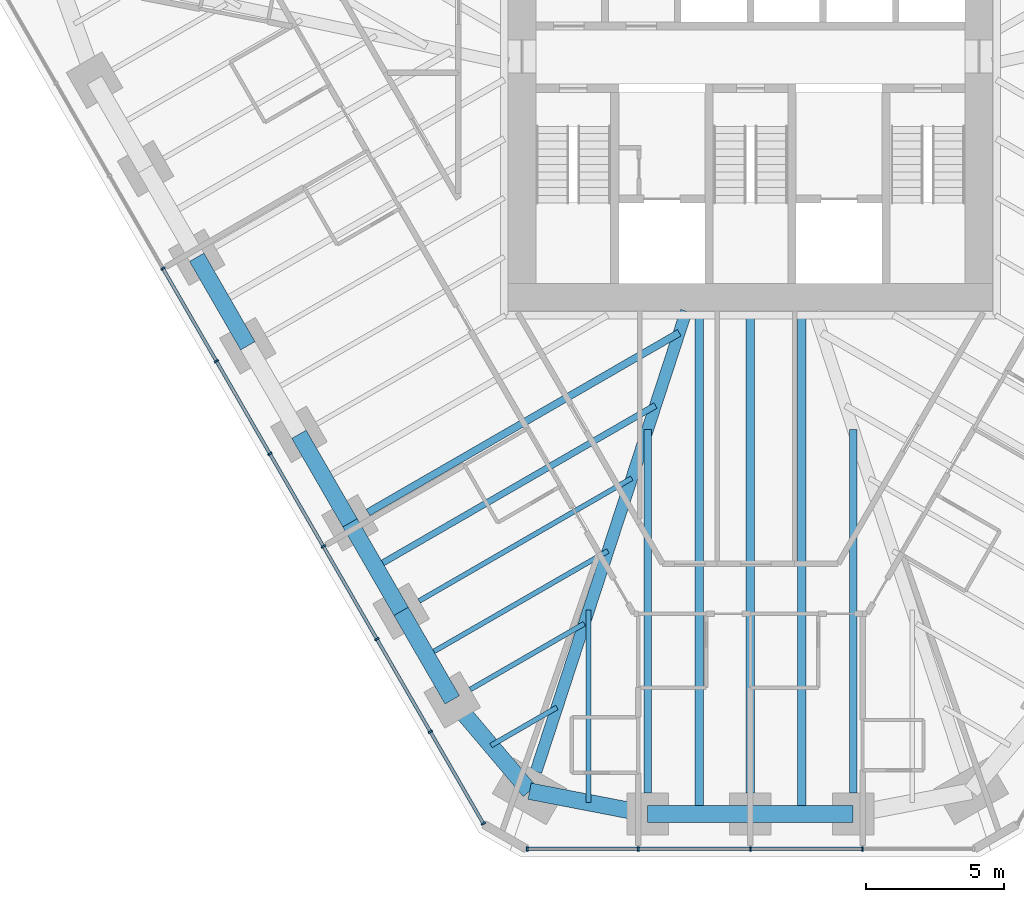
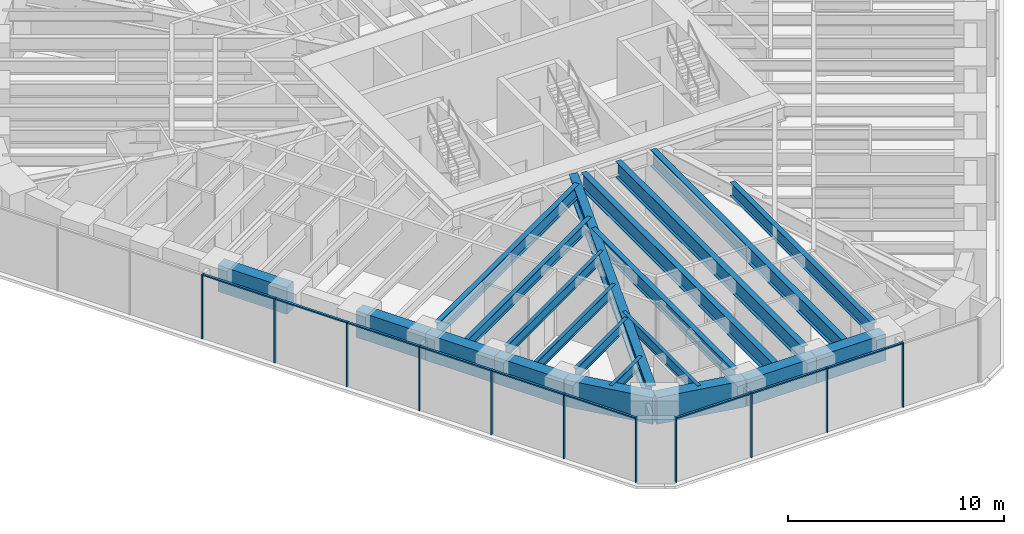
# One storey, part 2 of 17: 21 beams, 20 members, 2 elements without a shape of their own.
"""IFC4 building model written with IfcOpenShell, lengths in metres."""

from ifc_helpers import new_model, si_unit, direction, frame, origin, origin_2d, place, context, subcontext, project, spatial, rectangle, i_section, extrude, material, material_profile, profile_set, type_object, element, aggregate, save


model = new_model("IFC4")

# Units and contexts
model_context = context("Model", 3, precision=1e-05, world=origin(), true_north=direction((0.0, 1.0)))
body_context = subcontext(model_context, "Body", "Model", "MODEL_VIEW")
ifc_project = project(units=[si_unit("LENGTHUNIT", "METRE"), si_unit("AREAUNIT", "SQUARE_METRE"), si_unit("VOLUMEUNIT", "CUBIC_METRE"), si_unit("PLANEANGLEUNIT", "RADIAN"), si_unit("MASSUNIT", "GRAM", prefix="KILO")], contexts=[model_context])

# Site, building, storey
site_placement = place(None, origin())
site = spatial("IfcSite", under=ifc_project, at=site_placement, CompositionType="ELEMENT")
building_placement = place(site_placement, origin())
building = spatial("IfcBuilding", under=site, at=building_placement, Name="Sandreach Pilgrim Tower", CompositionType="ELEMENT")
storey_placement = place(building_placement, frame((0.0, 0.0, 221.199951171875)))
storey = spatial("IfcBuildingStorey", under=building, at=storey_placement, Name="L55", CompositionType="ELEMENT", Elevation=221.199951171875)

# Curtain wall, members
ifc_material_1 = material(Name="Aluminium framed curtain wall", Category="aluminium")
curtain_wall_type = type_object("IfcCurtainWallType", Name="Upper hotel tower curtain wall", PredefinedType="NOTDEFINED", material=ifc_material_1)
curtain_wall_1_placement = place(storey_placement, origin())
curtain_wall_1 = element("IfcCurtainWall", 1, at=curtain_wall_1_placement, inside=storey, type_object=curtain_wall_type, Name="CW-3 L55 S", PredefinedType="NOTDEFINED")
ifc_material_2 = material(Name="Aluminium extrusion", Category="aluminium")
ifc_material_profile_1 = material_profile(ifc_material_2, rectangle(XDim=0.06494140625, YDim=0.159912109375, at=origin_2d()), Name="CW-3M 65X160")
ifc_profile_set_1 = profile_set([ifc_material_profile_1], Name="Aluminium extrusion")
member_type_1 = type_object("IfcMemberType", Name="CW-3 mullion", PredefinedType="MULLION", material=ifc_profile_set_1)
member_1_placement = place(storey_placement, frame((4.048583984375, -26.525146484375, 0.0), z_axis=(0.0, 0.0, 1.0), x_axis=(-1.0, 0.0, 0.0)))
member_1 = element("IfcMember", 2, at=member_1_placement, type_object=member_type_1, Name="CW-3 mullion 2", PredefinedType="MULLION", context=body_context, shape_type="SweptSolid", body=[
    extrude(rectangle(XDim=0.06494140625, YDim=0.159912109375, at=origin_2d()), origin(), (0.0, 0.0, 1.0), 3.64013671875),
])
member_2_placement = place(storey_placement, frame((0.0, -26.525146484375, 0.0), z_axis=(0.0, 0.0, 1.0), x_axis=(-1.0, 0.0, 0.0)))
member_2 = element("IfcMember", 3, at=member_2_placement, type_object=member_type_1, Name="CW-3 mullion 3", PredefinedType="MULLION", context=body_context, shape_type="SweptSolid", body=[
    extrude(rectangle(XDim=0.06494140625, YDim=0.159912109375, at=origin_2d()), origin(), (0.0, 0.0, 1.0), 3.64013671875),
])
member_3_placement = place(storey_placement, frame((-4.048583984375, -26.525146484375, 0.0), z_axis=(0.0, 0.0, 1.0), x_axis=(-1.0, 0.0, 0.0)))
member_3 = element("IfcMember", 4, at=member_3_placement, type_object=member_type_1, Name="CW-3 mullion 4", PredefinedType="MULLION", context=body_context, shape_type="SweptSolid", body=[
    extrude(rectangle(XDim=0.06494140625, YDim=0.159912109375, at=origin_2d()), origin(), (0.0, 0.0, 1.0), 3.64013671875),
])
member_4_placement = place(storey_placement, frame((-8.06494140625, -26.525146484375, 0.0), z_axis=(0.0, 0.0, 1.0), x_axis=(-1.0, 0.0, 0.0)))
member_4 = element("IfcMember", 5, at=member_4_placement, type_object=member_type_1, Name="CW-3 mullion 5", PredefinedType="MULLION", context=body_context, shape_type="SweptSolid", body=[
    extrude(rectangle(XDim=0.06494140625, YDim=0.159912109375, at=origin_2d()), origin(), (0.0, 0.0, 1.0), 3.64013671875),
])

curtain_wall_2_placement = place(storey_placement, origin())
curtain_wall_2 = element("IfcCurtainWall", 6, at=curtain_wall_2_placement, inside=storey, type_object=curtain_wall_type, Name="CW-3 L55 SW", PredefinedType="NOTDEFINED")
member_5_placement = place(storey_placement, frame((-9.646484375, -25.612060546875, 0.0), z_axis=(0.0, 0.0, 1.0), x_axis=(-0.5, 0.866025403784, 0.0)))
member_5 = element("IfcMember", 7, at=member_5_placement, type_object=member_type_1, Name="CW-3 mullion 1", PredefinedType="MULLION", context=body_context, shape_type="SweptSolid", body=[
    extrude(rectangle(XDim=0.06494140625, YDim=0.159912109375, at=origin_2d()), origin(), (0.0, 0.0, 1.0), 3.64013671875),
])
member_6_placement = place(storey_placement, frame((-11.5625, -22.29345703125, 0.0), z_axis=(0.0, 0.0, 1.0), x_axis=(-0.5, 0.866025403784, 0.0)))
member_6 = element("IfcMember", 8, at=member_6_placement, type_object=member_type_1, Name="CW-3 mullion 2", PredefinedType="MULLION", context=body_context, shape_type="SweptSolid", body=[
    extrude(rectangle(XDim=0.06494140625, YDim=0.159912109375, at=origin_2d()), origin(), (0.0, 0.0, 1.0), 3.64013671875),
])
member_7_placement = place(storey_placement, frame((-13.49462890625, -18.94677734375, 0.0), z_axis=(0.0, 0.0, 1.0), x_axis=(-0.5, 0.866025403784, 0.0)))
member_7 = element("IfcMember", 9, at=member_7_placement, type_object=member_type_1, Name="CW-3 mullion 3", PredefinedType="MULLION", context=body_context, shape_type="SweptSolid", body=[
    extrude(rectangle(XDim=0.06494140625, YDim=0.159912109375, at=origin_2d()), origin(), (0.0, 0.0, 1.0), 3.64013671875),
])
member_8_placement = place(storey_placement, frame((-15.4267578125, -15.60009765625, 0.0), z_axis=(0.0, 0.0, 1.0), x_axis=(-0.5, 0.866025403784, 0.0)))
member_8 = element("IfcMember", 10, at=member_8_placement, type_object=member_type_1, Name="CW-3 mullion 4", PredefinedType="MULLION", context=body_context, shape_type="SweptSolid", body=[
    extrude(rectangle(XDim=0.06494140625, YDim=0.159912109375, at=origin_2d()), origin(), (0.0, 0.0, 1.0), 3.64013671875),
])
member_9_placement = place(storey_placement, frame((-17.359130859375, -12.25341796875, 0.0), z_axis=(0.0, 0.0, 1.0), x_axis=(-0.5, 0.866025403784, 0.0)))
member_9 = element("IfcMember", 11, at=member_9_placement, type_object=member_type_1, Name="CW-3 mullion 5", PredefinedType="MULLION", context=body_context, shape_type="SweptSolid", body=[
    extrude(rectangle(XDim=0.06494140625, YDim=0.159912109375, at=origin_2d()), origin(), (0.0, 0.0, 1.0), 3.64013671875),
])
member_10_placement = place(storey_placement, frame((-19.291259765625, -8.90673828125, 0.0), z_axis=(0.0, 0.0, 1.0), x_axis=(-0.5, 0.866025403784, 0.0)))
member_10 = element("IfcMember", 12, at=member_10_placement, type_object=member_type_1, Name="CW-3 mullion 6", PredefinedType="MULLION", context=body_context, shape_type="SweptSolid", body=[
    extrude(rectangle(XDim=0.06494140625, YDim=0.159912109375, at=origin_2d()), origin(), (0.0, 0.0, 1.0), 3.64013671875),
])
member_11_placement = place(storey_placement, frame((-21.223388671875, -5.56005859375, 0.0), z_axis=(0.0, 0.0, 1.0), x_axis=(-0.5, 0.866025403784, 0.0)))
member_11 = element("IfcMember", 13, at=member_11_placement, type_object=member_type_1, Name="CW-3 mullion 7", PredefinedType="MULLION", context=body_context, shape_type="SweptSolid", body=[
    extrude(rectangle(XDim=0.06494140625, YDim=0.159912109375, at=origin_2d()), origin(), (0.0, 0.0, 1.0), 3.64013671875),
])

# Member
ifc_material_3 = material(Name="Aluminium extrusion", Category="aluminium")
ifc_material_profile_2 = material_profile(ifc_material_3, rectangle(XDim=0.1201171875, YDim=0.070068359375, at=origin_2d()), Name="CW-3T 120X70")
ifc_profile_set_2 = profile_set([ifc_material_profile_2], Name="Aluminium extrusion")
member_type_2 = type_object("IfcMemberType", Name="CW-3 transom", PredefinedType="USERDEFINED", material=ifc_profile_set_2)
member_12_placement = place(storey_placement, frame((4.01611328125, -26.525146484375, 3.60498046875), z_axis=(-1.0, 0.0, 0.0), x_axis=(0.0, -1.0, 0.0)))
member_12 = element("IfcMember", 14, at=member_12_placement, type_object=member_type_2, Name="CW-3 head transom 2", ObjectType="TRANSOM", PredefinedType="USERDEFINED", context=body_context, shape_type="SweptSolid", body=[
    extrude(rectangle(XDim=0.1201171875, YDim=0.070068359375, at=origin_2d()), origin(), (0.0, 0.0, 1.0), 3.983642578125),
])

member_13_placement = place(storey_placement, frame((-0.032470703125, -26.525146484375, 3.60498046875), z_axis=(-1.0, 0.0, 0.0), x_axis=(0.0, -1.0, 0.0)))
member_13 = element("IfcMember", 15, at=member_13_placement, type_object=member_type_2, Name="CW-3 head transom 3", ObjectType="TRANSOM", PredefinedType="USERDEFINED", context=body_context, shape_type="SweptSolid", body=[
    extrude(rectangle(XDim=0.1201171875, YDim=0.070068359375, at=origin_2d()), origin(), (0.0, 0.0, 1.0), 3.983642578125),
])

member_14_placement = place(storey_placement, frame((-4.081298828125, -26.525146484375, 3.60498046875), z_axis=(-1.0, 0.0, 0.0), x_axis=(0.0, -1.0, 0.0)))
member_14 = element("IfcMember", 16, at=member_14_placement, type_object=member_type_2, Name="CW-3 head transom 4", ObjectType="TRANSOM", PredefinedType="USERDEFINED", context=body_context, shape_type="SweptSolid", body=[
    extrude(rectangle(XDim=0.1201171875, YDim=0.070068359375, at=origin_2d()), origin(), (0.0, 0.0, 1.0), 3.951171875),
])

aggregate(curtain_wall_1, [member_1, member_2, member_3, member_4, member_12, member_13, member_14])

member_15_placement = place(storey_placement, frame((-9.662841796875, -25.583740234375, 3.60498046875), z_axis=(-0.499973055223, 0.8660409598, 0.0), x_axis=(-0.8660409598, -0.499973055223, 0.0)))
member_15 = element("IfcMember", 17, at=member_15_placement, type_object=member_type_2, Name="CW-3 head transom 1", ObjectType="TRANSOM", PredefinedType="USERDEFINED", context=body_context, shape_type="SweptSolid", body=[
    extrude(rectangle(XDim=0.1201171875, YDim=0.070068359375, at=origin_2d()), origin(), (0.0, 0.0, 1.0), 3.766845703125),
])

member_16_placement = place(storey_placement, frame((-11.57861328125, -22.265380859375, 3.60498046875), z_axis=(-0.500022797313, 0.86601224135, 0.0), x_axis=(-0.86601224135, -0.500022797313, 0.0)))
member_16 = element("IfcMember", 18, at=member_16_placement, type_object=member_type_2, Name="CW-3 head transom 2", ObjectType="TRANSOM", PredefinedType="USERDEFINED", context=body_context, shape_type="SweptSolid", body=[
    extrude(rectangle(XDim=0.1201171875, YDim=0.070068359375, at=origin_2d()), origin(), (0.0, 0.0, 1.0), 3.799560546875),
])

member_17_placement = place(storey_placement, frame((-13.510986328125, -18.918701171875, 3.60498046875), z_axis=(-0.499974606132, 0.866040064445, 0.0), x_axis=(-0.866040064445, -0.499974606132, 0.0)))
member_17 = element("IfcMember", 19, at=member_17_placement, type_object=member_type_2, Name="CW-3 head transom 3", ObjectType="TRANSOM", PredefinedType="USERDEFINED", context=body_context, shape_type="SweptSolid", body=[
    extrude(rectangle(XDim=0.1201171875, YDim=0.070068359375, at=origin_2d()), origin(), (0.0, 0.0, 1.0), 3.799560546875),
])

member_18_placement = place(storey_placement, frame((-15.443115234375, -15.572021484375, 3.60498046875), z_axis=(-0.499974606132, 0.866040064445, 0.0), x_axis=(-0.866040064445, -0.499974606132, 0.0)))
member_18 = element("IfcMember", 20, at=member_18_placement, type_object=member_type_2, Name="CW-3 head transom 4", ObjectType="TRANSOM", PredefinedType="USERDEFINED", context=body_context, shape_type="SweptSolid", body=[
    extrude(rectangle(XDim=0.1201171875, YDim=0.070068359375, at=origin_2d()), origin(), (0.0, 0.0, 1.0), 3.799560546875),
])

member_19_placement = place(storey_placement, frame((-17.375244140625, -12.225341796875, 3.60498046875), z_axis=(-0.500022797313, 0.86601224135, 0.0), x_axis=(-0.86601224135, -0.500022797313, 0.0)))
member_19 = element("IfcMember", 21, at=member_19_placement, type_object=member_type_2, Name="CW-3 head transom 5", ObjectType="TRANSOM", PredefinedType="USERDEFINED", context=body_context, shape_type="SweptSolid", body=[
    extrude(rectangle(XDim=0.1201171875, YDim=0.070068359375, at=origin_2d()), origin(), (0.0, 0.0, 1.0), 3.799560546875),
])

member_20_placement = place(storey_placement, frame((-19.3076171875, -8.878662109375, 3.60498046875), z_axis=(-0.499974606132, 0.866040064445, 0.0), x_axis=(-0.866040064445, -0.499974606132, 0.0)))
member_20 = element("IfcMember", 22, at=member_20_placement, type_object=member_type_2, Name="CW-3 head transom 6", ObjectType="TRANSOM", PredefinedType="USERDEFINED", context=body_context, shape_type="SweptSolid", body=[
    extrude(rectangle(XDim=0.1201171875, YDim=0.070068359375, at=origin_2d()), origin(), (0.0, 0.0, 1.0), 3.799560546875),
])

aggregate(curtain_wall_2, [member_5, member_6, member_7, member_8, member_9, member_10, member_11, member_15, member_16, member_17, member_18, member_19, member_20])

# Beams
ifc_material_4 = material(Name="Steel ASTM A992 Grade 50", Category="steel")
ifc_material_profile_3 = material_profile(ifc_material_4, i_section(OverallWidth=0.431884765625, OverallDepth=0.988037109375, WebThickness=0.034423828125, FlangeThickness=0.06201171875, at=origin_2d()), Name="W36X441")
ifc_profile_set_3 = profile_set([ifc_material_profile_3], Name="Steel ASTM A992 Grade 50")
beam_type_1 = type_object("IfcBeamType", Name="Corner girder W36X441", PredefinedType="BEAM", material=ifc_profile_set_3)
beam_1_placement = place(storey_placement, frame((-7.745849609375, -23.72900390625, 3.14599609375), z_axis=(0.310317870968, 0.950632851819, 0.0), x_axis=(-0.950632851819, 0.310317870968, 0.0)))
element("IfcBeam", 23, at=beam_1_placement, inside=storey, type_object=beam_type_1, Name="BM L55 CG26", PredefinedType="BEAM", context=body_context, shape_type="SweptSolid", body=[
    extrude(i_section(OverallWidth=0.431884765625, OverallDepth=0.988037109375, WebThickness=0.034423828125, FlangeThickness=0.06201171875, at=origin_2d()), origin(), (0.0, 0.0, 1.0), 17.492431640625),
])
ifc_material_5 = material(Name="Steel ASTM A992 Grade 50", Category="steel")
ifc_material_profile_4 = material_profile(ifc_material_5, i_section(OverallWidth=0.1787109375, OverallDepth=0.60205078125, WebThickness=0.010986328125, FlangeThickness=0.014892578125, at=origin_2d()), Name="W24X62")
ifc_profile_set_4 = profile_set([ifc_material_profile_4], Name="Steel ASTM A992 Grade 50")
beam_type_2 = type_object("IfcBeamType", Name="Floor beam W24X62", PredefinedType="BEAM", material=ifc_profile_set_4)
beam_2_placement = place(storey_placement, frame((-10.12255859375, -20.767333984375, 3.339111328125), z_axis=(0.86603347311, 0.499986023258, 0.0), x_axis=(-0.499986023258, 0.86603347311, 0.0)))
element("IfcBeam", 24, at=beam_2_placement, inside=storey, type_object=beam_type_2, Name="BM L55 F27", PredefinedType="BEAM", context=body_context, shape_type="SweptSolid", body=[
    extrude(i_section(OverallWidth=0.1787109375, OverallDepth=0.60205078125, WebThickness=0.010986328125, FlangeThickness=0.014892578125, at=origin_2d()), origin(), (0.0, 0.0, 1.0), 4.757568359375),
])
beam_3_placement = place(storey_placement, frame((-11.96875, -17.569580078125, 3.339111328125), z_axis=(0.866020566617, 0.500008378126, 0.0), x_axis=(-0.500008378126, 0.866020566617, 0.0)))
element("IfcBeam", 25, at=beam_3_placement, inside=storey, type_object=beam_type_2, Name="BM L55 F28", PredefinedType="BEAM", context=body_context, shape_type="SweptSolid", body=[
    extrude(i_section(OverallWidth=0.1787109375, OverallDepth=0.60205078125, WebThickness=0.010986328125, FlangeThickness=0.014892578125, at=origin_2d()), origin(), (0.0, 0.0, 1.0), 8.869384765625),
])
beam_4_placement = place(storey_placement, frame((-5.844482421875, -24.853515625, 3.339111328125), z_axis=(0.0, 1.0, 0.0), x_axis=(-1.0, 0.0, 0.0)))
element("IfcBeam", 26, at=beam_4_placement, inside=storey, type_object=beam_type_2, Name="BM L55 FM25", PredefinedType="BEAM", context=body_context, shape_type="SweptSolid", body=[
    extrude(i_section(OverallWidth=0.1787109375, OverallDepth=0.60205078125, WebThickness=0.010986328125, FlangeThickness=0.014892578125, at=origin_2d()), origin(), (0.0, 0.0, 1.0), 6.94921875),
])
beam_5_placement = place(storey_placement, frame((-9.375244140625, -22.7919921875, 3.339111328125), z_axis=(0.866046803606, 0.49996293259, 0.0), x_axis=(-0.49996293259, 0.866046803606, 0.0)))
element("IfcBeam", 27, at=beam_5_placement, inside=storey, type_object=beam_type_2, Name="BM L55 FM26", PredefinedType="BEAM", context=body_context, shape_type="SweptSolid", body=[
    extrude(i_section(OverallWidth=0.1787109375, OverallDepth=0.60205078125, WebThickness=0.010986328125, FlangeThickness=0.014892578125, at=origin_2d()), origin(), (0.0, 0.0, 1.0), 2.753662109375),
])
beam_6_placement = place(storey_placement, frame((-11.6953125, -19.54345703125, 3.339111328125), z_axis=(0.866029704776, 0.49999255039, 0.0), x_axis=(-0.49999255039, 0.866029704776, 0.0)))
element("IfcBeam", 28, at=beam_6_placement, inside=storey, type_object=beam_type_2, Name="BM L55 FM27", PredefinedType="BEAM", context=body_context, shape_type="SweptSolid", body=[
    extrude(i_section(OverallWidth=0.1787109375, OverallDepth=0.60205078125, WebThickness=0.010986328125, FlangeThickness=0.014892578125, at=origin_2d()), origin(), (0.0, 0.0, 1.0), 7.5634765625),
])
ifc_material_6 = material(Name="Steel ASTM A992 Grade 50", Category="steel")
ifc_material_profile_5 = material_profile(ifc_material_6, i_section(OverallWidth=0.23046875, OverallDepth=0.6171875, WebThickness=0.01318359375, FlangeThickness=0.022216796875, at=origin_2d()), Name="W24X94")
ifc_profile_set_5 = profile_set([ifc_material_profile_5], Name="Steel ASTM A992 Grade 50")
beam_type_3 = type_object("IfcBeamType", Name="Floor beam W24X94", PredefinedType="BEAM", material=ifc_profile_set_5)
beam_7_placement = place(storey_placement, frame((-13.54150390625, -16.345703125, 3.33154296875), z_axis=(0.866026454974, 0.499998179282, 0.0), x_axis=(-0.499998179282, 0.866026454974, 0.0)))
element("IfcBeam", 29, at=beam_7_placement, inside=storey, type_object=beam_type_3, Name="BM L55 FM28", PredefinedType="BEAM", context=body_context, shape_type="SweptSolid", body=[
    extrude(i_section(OverallWidth=0.23046875, OverallDepth=0.6171875, WebThickness=0.01318359375, FlangeThickness=0.022216796875, at=origin_2d()), origin(), (0.0, 0.0, 1.0), 11.67578125),
])
ifc_material_7 = material(Name="Steel ASTM A992 Grade 50", Category="steel")
ifc_material_profile_6 = material_profile(ifc_material_7, i_section(OverallWidth=0.2666015625, OverallDepth=0.761962890625, WebThickness=0.014404296875, FlangeThickness=0.021484375, at=origin_2d()), Name="W30X116")
ifc_profile_set_6 = profile_set([ifc_material_profile_6], Name="Steel ASTM A992 Grade 50")
beam_type_4 = type_object("IfcBeamType", Name="Floor beam W30X116", PredefinedType="BEAM", material=ifc_profile_set_6)
for number, where, z_axis, x_axis, name in (
    (30, (3.71044921875, -24.51513671875, 3.259033203125), (0.0, 1.0, 0.0), (-1.0, 0.0, 0.0), "BM L55 F23"),
    (31, (-3.71044921875, -24.51513671875, 3.259033203125), (0.0, 1.0, 0.0), (-1.0, 0.0, 0.0), "BM L55 F25"),
):
    element("IfcBeam", number, at=place(storey_placement, frame(where, z_axis=z_axis, x_axis=x_axis)), inside=storey, type_object=beam_type_4, Name=name, PredefinedType="BEAM", context=body_context, shape_type="SweptSolid", body=[
        extrude(i_section(OverallWidth=0.2666015625, OverallDepth=0.761962890625, WebThickness=0.014404296875, FlangeThickness=0.021484375, at=origin_2d()), origin(), (0.0, 0.0, 1.0), 13.1484375),
    ])
beam_8_placement = place(storey_placement, frame((-13.815185546875, -14.371826171875, 3.259033203125), z_axis=(0.866025240073, 0.500000283557, 0.0), x_axis=(-0.500000283557, 0.866025240073, 0.0)))
element("IfcBeam", 32, at=beam_8_placement, inside=storey, type_object=beam_type_4, Name="BM L55 F29", PredefinedType="BEAM", context=body_context, shape_type="SweptSolid", body=[
    extrude(i_section(OverallWidth=0.2666015625, OverallDepth=0.761962890625, WebThickness=0.014404296875, FlangeThickness=0.021484375, at=origin_2d()), origin(), (0.0, 0.0, 1.0), 12.98193359375),
])
ifc_material_8 = material(Name="Steel ASTM A992 Grade 50", Category="steel")
ifc_material_profile_7 = material_profile(ifc_material_8, i_section(OverallWidth=0.3046875, OverallDepth=0.914306640625, WebThickness=0.0166015625, FlangeThickness=0.02587890625, at=origin_2d()), Name="W36X160")
ifc_profile_set_7 = profile_set([ifc_material_profile_7], Name="Steel ASTM A992 Grade 50")
beam_type_5 = type_object("IfcBeamType", Name="Floor beam W36X160", PredefinedType="BEAM", material=ifc_profile_set_7)
beam_9_placement = place(storey_placement, frame((0.0, -24.51513671875, 3.182861328125), z_axis=(0.0, 1.0, 0.0), x_axis=(-1.0, 0.0, 0.0)))
element("IfcBeam", 33, at=beam_9_placement, inside=storey, type_object=beam_type_5, Name="BM L55 F24", PredefinedType="BEAM", context=body_context, shape_type="SweptSolid", body=[
    extrude(i_section(OverallWidth=0.3046875, OverallDepth=0.914306640625, WebThickness=0.0166015625, FlangeThickness=0.02587890625, at=origin_2d()), origin(), (0.0, 0.0, 1.0), 17.271728515625),
])
for number, where, z_axis, x_axis, name in (
    (34, (1.855224609375, -25.26513671875, 3.182861328125), (0.0, 1.0, 0.0), (-1.0, 0.0, 0.0), "BM L55 FM23"),
    (35, (-1.855224609375, -25.26513671875, 3.182861328125), (0.0, 1.0, 0.0), (-1.0, 0.0, 0.0), "BM L55 FM24"),
):
    element("IfcBeam", number, at=place(storey_placement, frame(where, z_axis=z_axis, x_axis=x_axis)), inside=storey, type_object=beam_type_5, Name=name, PredefinedType="BEAM", context=body_context, shape_type="SweptSolid", body=[
        extrude(i_section(OverallWidth=0.3046875, OverallDepth=0.914306640625, WebThickness=0.0166015625, FlangeThickness=0.02587890625, at=origin_2d()), origin(), (0.0, 0.0, 1.0), 18.021728515625),
    ])
ifc_material_9 = material(Name="Concrete 10000 psi", Category="concrete")
ifc_material_profile_8 = material_profile(ifc_material_9, rectangle(XDim=0.60009765625, YDim=1.5, at=origin_2d()), Name="RC600X1500")
ifc_profile_set_8 = profile_set([ifc_material_profile_8], Name="Concrete 10000 psi")
beam_type_6 = type_object("IfcBeamType", Name="Spandrel beam RC600X1500", PredefinedType="SPANDREL", material=ifc_profile_set_8)
for number, where, z_axis, x_axis, name in (
    (36, (3.71044921875, -25.26513671875, 2.89013671875), (-1.0, 0.0, 0.0), (0.0, -1.0, 0.0), "BM L55 SP23"),
    (37, (0.0, -25.26513671875, 2.89013671875), (-1.0, 0.0, 0.0), (0.0, -1.0, 0.0), "BM L55 SP24"),
):
    element("IfcBeam", number, at=place(storey_placement, frame(where, z_axis=z_axis, x_axis=x_axis)), inside=storey, type_object=beam_type_6, Name=name, PredefinedType="SPANDREL", context=body_context, shape_type="SweptSolid", body=[
        extrude(rectangle(XDim=0.60009765625, YDim=1.5, at=origin_2d()), origin(), (0.0, 0.0, 1.0), 3.71044921875),
    ])
beam_10_placement = place(storey_placement, frame((-3.71044921875, -25.26513671875, 2.89013671875), z_axis=(-0.981901333807, 0.18939316426, 0.0), x_axis=(-0.18939316426, -0.981901333807, 0.0)))
element("IfcBeam", 38, at=beam_10_placement, inside=storey, type_object=beam_type_6, Name="BM L55 SP25", PredefinedType="SPANDREL", context=body_context, shape_type="SweptSolid", body=[
    extrude(rectangle(XDim=0.60009765625, YDim=1.5, at=origin_2d()), origin(), (0.0, 0.0, 1.0), 4.3466796875),
])
beam_11_placement = place(storey_placement, frame((-7.978515625, -24.44189453125, 2.89013671875), z_axis=(-0.646180160755, 0.76318490541, 0.0), x_axis=(-0.76318490541, -0.646180160755, 0.0)))
element("IfcBeam", 39, at=beam_11_placement, inside=storey, type_object=beam_type_6, Name="BM L55 SP26", PredefinedType="SPANDREL", context=body_context, shape_type="SweptSolid", body=[
    extrude(rectangle(XDim=0.60009765625, YDim=1.5, at=origin_2d()), origin(), (0.0, 0.0, 1.0), 4.323486328125),
])
for number, where, z_axis, x_axis, name in (
    (40, (-10.772216796875, -21.142333984375, 2.89013671875), (-0.499993363642, 0.866029235253, 0.0), (-0.866029235253, -0.499993363642, 0.0), "BM L55 SP27"),
    (41, (-12.618408203125, -17.944580078125, 2.89013671875), (-0.499993363642, 0.866029235253, 0.0), (-0.866029235253, -0.499993363642, 0.0), "BM L55 SP28"),
):
    element("IfcBeam", number, at=place(storey_placement, frame(where, z_axis=z_axis, x_axis=x_axis)), inside=storey, type_object=beam_type_6, Name=name, PredefinedType="SPANDREL", context=body_context, shape_type="SweptSolid", body=[
        extrude(rectangle(XDim=0.60009765625, YDim=1.5, at=origin_2d()), origin(), (0.0, 0.0, 1.0), 3.6923828125),
    ])
beam_12_placement = place(storey_placement, frame((-14.464599609375, -14.746826171875, 2.89013671875), z_axis=(-0.49996473481, 0.866045763194, 0.0), x_axis=(-0.866045763194, -0.49996473481, 0.0)))
element("IfcBeam", 42, at=beam_12_placement, inside=storey, type_object=beam_type_6, Name="BM L55 SP29", PredefinedType="SPANDREL", context=body_context, shape_type="SweptSolid", body=[
    extrude(rectangle(XDim=0.60009765625, YDim=1.5, at=origin_2d()), origin(), (0.0, 0.0, 1.0), 3.692626953125),
])
beam_13_placement = place(storey_placement, frame((-18.1572265625, -8.35107421875, 2.89013671875), z_axis=(-0.499993363642, 0.866029235253, 0.0), x_axis=(-0.866029235253, -0.499993363642, 0.0)))
element("IfcBeam", 43, at=beam_13_placement, inside=storey, type_object=beam_type_6, Name="BM L55 SP31", PredefinedType="SPANDREL", context=body_context, shape_type="SweptSolid", body=[
    extrude(rectangle(XDim=0.60009765625, YDim=1.5, at=origin_2d()), origin(), (0.0, 0.0, 1.0), 3.6923828125),
])

save(model, "model.ifc")
